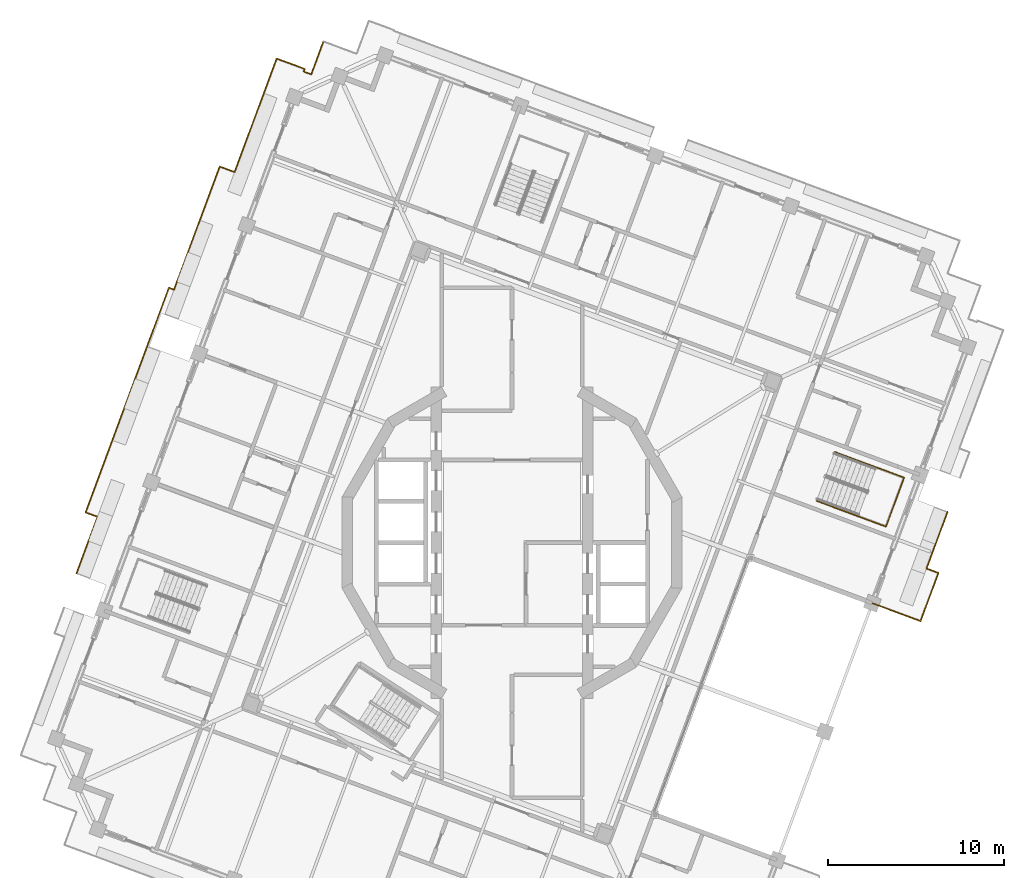
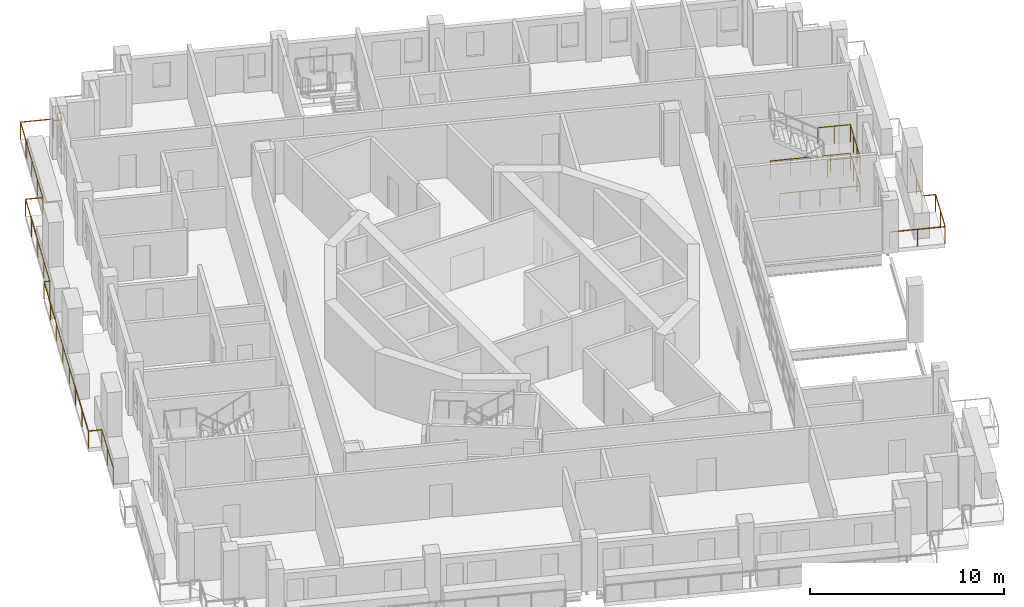
# One storey, part 16 of 19: 5 railings.
"""IFC4 building model written with IfcOpenShell, lengths in metres."""

from ifc_helpers import new_model, si_unit, direction, frame, origin, origin_2d, place, context, subcontext, project, spatial, circle, extrude, material, type_object, element, save


model = new_model("IFC4")

# Units and contexts
model_context = context("Model", 3, precision=1e-05, world=origin(), true_north=direction((0.0, 1.0)))
body_context = subcontext(model_context, "Body", "Model", "MODEL_VIEW")
ifc_project = project(units=[si_unit("LENGTHUNIT", "METRE"), si_unit("AREAUNIT", "SQUARE_METRE"), si_unit("VOLUMEUNIT", "CUBIC_METRE"), si_unit("PLANEANGLEUNIT", "RADIAN"), si_unit("MASSUNIT", "GRAM", prefix="KILO")], contexts=[model_context])

# Site, building, storey
site_placement = place(None, origin())
site = spatial("IfcSite", under=ifc_project, at=site_placement, CompositionType="ELEMENT")
building_placement = place(site_placement, origin())
building = spatial("IfcBuilding", under=site, at=building_placement, Name="Cantera Rosa Tower", CompositionType="ELEMENT")
storey_placement = place(building_placement, frame((0.0, 0.0, 331.300048828125)))
storey = spatial("IfcBuildingStorey", under=building, at=storey_placement, Name="L74", CompositionType="ELEMENT", Elevation=331.300048828125)

# Railings
ifc_material_1 = material(Name="Stainless steel and laminated glass", Category="steel")
railing_type_1 = type_object("IfcRailingType", Name="GUARD 1100", PredefinedType="BALUSTRADE", material=ifc_material_1)
railing_1_placement = place(storey_placement, frame((-24.750244140625, -1.748779296875, 0.0)))
element("IfcRailing", 1, at=railing_1_placement, inside=storey, type_object=railing_type_1, Name="GUARD L74-6", PredefinedType="BALUSTRADE", context=body_context, shape_type="SweptSolid", body=[
    extrude(circle(Radius=0.030029296875, at=origin_2d()), frame((0.0, 0.0, 1.070068359375), z_axis=(0.347455720104, 0.937696391465, 0.0), x_axis=(-0.937696391465, 0.347455720104, 0.0)), (0.0, 0.0, 1.0), 3.43115234375),
    extrude(circle(Radius=0.030029296875, at=origin_2d()), frame((1.192138671875, 3.21728515625, 1.070068359375), z_axis=(-0.937662671744, 0.347546707679, 0.0), x_axis=(-0.347546707679, -0.937662671744, 0.0)), (0.0, 0.0, 1.0), 0.718505859375),
    extrude(circle(Radius=0.030029296875, at=origin_2d()), frame((0.518310546875, 3.467041015625, 1.070068359375), z_axis=(0.347474337492, 0.937689492734, 0.0), x_axis=(-0.937689492734, 0.347474337492, 0.0)), (0.0, 0.0, 1.0), 13.6181640625),
    extrude(circle(Radius=0.030029296875, at=origin_2d()), frame((5.250244140625, 16.236572265625, 1.070068359375), z_axis=(0.937570310623, -0.347795791576, 0.0), x_axis=(0.347795791576, 0.937570310623, 0.0)), (0.0, 0.0, 1.0), 0.313720703125),
    extrude(circle(Radius=0.030029296875, at=origin_2d()), frame((5.54443359375, 16.12744140625, 1.070068359375), z_axis=(0.347483678672, 0.937686031173, 0.0), x_axis=(-0.937686031173, 0.347483678672, 0.0)), (0.0, 0.0, 1.0), 7.466552734375),
    extrude(circle(Radius=0.030029296875, at=origin_2d()), frame((8.138916015625, 23.128662109375, 1.070068359375), z_axis=(0.937641368545, -0.34760417718, 0.0), x_axis=(0.34760417718, 0.937641368545, 0.0)), (0.0, 0.0, 1.0), 0.9052734375),
    extrude(circle(Radius=0.030029296875, at=origin_2d()), frame((8.98779296875, 22.81396484375, 1.070068359375), z_axis=(0.347493627455, 0.937682344335, 0.0), x_axis=(-0.937682344335, 0.347493627455, 0.0)), (0.0, 0.0, 1.0), 6.874755859375),
    extrude(circle(Radius=0.030029296875, at=origin_2d()), frame((11.376708984375, 29.26025390625, 1.070068359375), z_axis=(0.93766211216, -0.347548217403, 0.0), x_axis=(0.347548217403, 0.93766211216, 0.0)), (0.0, 0.0, 1.0), 1.699951171875),
    extrude(circle(Radius=0.030029296875, at=origin_2d()), frame((12.970703125, 28.66943359375, 1.070068359375), z_axis=(-0.348345544994, -0.937366193802, 0.0), x_axis=(0.937366193802, -0.348345544994, 0.0)), (0.0, 0.0, 1.0), 0.154296875),
    extrude(circle(Radius=0.030029296875, at=origin_2d()), frame((12.9169921875, 28.52490234375, 1.070068359375), z_axis=(0.937800612421, -0.34717432414, 0.0), x_axis=(0.34717432414, 0.937800612421, 0.0)), (0.0, 0.0, 1.0), 0.454345703125),
    extrude(circle(Radius=0.030029296875, at=origin_2d()), frame((13.343017578125, 28.3671875, 1.070068359375), z_axis=(0.347349380186, 0.937735787994, 0.0), x_axis=(-0.937735787994, 0.347349380186, 0.0)), (0.0, 0.0, 1.0), 0.4541015625),
    extrude(circle(Radius=0.030029296875, at=origin_2d()), frame((13.500732421875, 28.79296875, 1.070068359375), z_axis=(0.347468671564, 0.937691592306, 0.0), x_axis=(-0.937691592306, 0.347468671564, 0.0)), (0.0, 0.0, 1.0), 1.5458984375),
    extrude(circle(Radius=0.02490234375, at=origin_2d()), origin(), (0.0, 0.0, 1.0), 1.0400390625),
    extrude(circle(Radius=0.02490234375, at=origin_2d()), frame((0.59619140625, 1.608642578125, 0.0)), (0.0, 0.0, 1.0), 1.0400390625),
    extrude(circle(Radius=0.02490234375, at=origin_2d()), frame((1.192138671875, 3.21728515625, 0.0)), (0.0, 0.0, 1.0), 1.0400390625),
    extrude(circle(Radius=0.02490234375, at=origin_2d()), frame((0.518310546875, 3.467041015625, 0.0)), (0.0, 0.0, 1.0), 1.0400390625),
    extrude(circle(Radius=0.02490234375, at=origin_2d()), frame((1.1943359375, 5.291259765625, 0.0)), (0.0, 0.0, 1.0), 1.0400390625),
    extrude(circle(Radius=0.02490234375, at=origin_2d()), frame((1.870361328125, 7.115478515625, 0.0)), (0.0, 0.0, 1.0), 1.0400390625),
    extrude(circle(Radius=0.02490234375, at=origin_2d()), frame((2.54638671875, 8.939697265625, 0.0)), (0.0, 0.0, 1.0), 1.0400390625),
    extrude(circle(Radius=0.02490234375, at=origin_2d()), frame((3.22216796875, 10.763916015625, 0.0)), (0.0, 0.0, 1.0), 1.0400390625),
    extrude(circle(Radius=0.02490234375, at=origin_2d()), frame((3.898193359375, 12.588134765625, 0.0)), (0.0, 0.0, 1.0), 1.0400390625),
    extrude(circle(Radius=0.02490234375, at=origin_2d()), frame((4.57421875, 14.412353515625, 0.0)), (0.0, 0.0, 1.0), 1.0400390625),
    extrude(circle(Radius=0.02490234375, at=origin_2d()), frame((5.250244140625, 16.236572265625, 0.0)), (0.0, 0.0, 1.0), 1.0400390625),
    extrude(circle(Radius=0.02490234375, at=origin_2d()), frame((5.54443359375, 16.12744140625, 0.0)), (0.0, 0.0, 1.0), 1.0400390625),
    extrude(circle(Radius=0.02490234375, at=origin_2d()), frame((6.193115234375, 17.877685546875, 0.0)), (0.0, 0.0, 1.0), 1.0400390625),
    extrude(circle(Radius=0.02490234375, at=origin_2d()), frame((6.841796875, 19.6279296875, 0.0)), (0.0, 0.0, 1.0), 1.0400390625),
    extrude(circle(Radius=0.02490234375, at=origin_2d()), frame((7.490234375, 21.37841796875, 0.0)), (0.0, 0.0, 1.0), 1.0400390625),
    extrude(circle(Radius=0.02490234375, at=origin_2d()), frame((8.138916015625, 23.128662109375, 0.0)), (0.0, 0.0, 1.0), 1.0400390625),
    extrude(circle(Radius=0.02490234375, at=origin_2d()), frame((8.98779296875, 22.81396484375, 0.0)), (0.0, 0.0, 1.0), 1.0400390625),
    extrude(circle(Radius=0.02490234375, at=origin_2d()), frame((9.5849609375, 24.425537109375, 0.0)), (0.0, 0.0, 1.0), 1.0400390625),
    extrude(circle(Radius=0.02490234375, at=origin_2d()), frame((10.18212890625, 26.037109375, 0.0)), (0.0, 0.0, 1.0), 1.0400390625),
    extrude(circle(Radius=0.02490234375, at=origin_2d()), frame((10.779541015625, 27.648681640625, 0.0)), (0.0, 0.0, 1.0), 1.0400390625),
    extrude(circle(Radius=0.02490234375, at=origin_2d()), frame((11.376708984375, 29.26025390625, 0.0)), (0.0, 0.0, 1.0), 1.0400390625),
    extrude(circle(Radius=0.02490234375, at=origin_2d()), frame((12.970703125, 28.66943359375, 0.0)), (0.0, 0.0, 1.0), 1.0400390625),
    extrude(circle(Radius=0.02490234375, at=origin_2d()), frame((12.9169921875, 28.52490234375, 0.0)), (0.0, 0.0, 1.0), 1.0400390625),
    extrude(circle(Radius=0.02490234375, at=origin_2d()), frame((13.343017578125, 28.3671875, 0.0)), (0.0, 0.0, 1.0), 1.0400390625),
    extrude(circle(Radius=0.02490234375, at=origin_2d()), frame((13.500732421875, 28.79296875, 0.0)), (0.0, 0.0, 1.0), 1.0400390625),
    extrude(circle(Radius=0.02490234375, at=origin_2d()), frame((14.037841796875, 30.242431640625, 0.0)), (0.0, 0.0, 1.0), 1.0400390625),
])
railing_2_placement = place(storey_placement, frame((24.23193359375, -1.71826171875, 0.0)))
element("IfcRailing", 2, at=railing_2_placement, inside=storey, type_object=railing_type_1, Name="GUARD L74-7", PredefinedType="BALUSTRADE", context=body_context, shape_type="SweptSolid", body=[
    extrude(circle(Radius=0.030029296875, at=origin_2d()), frame((0.0, 0.0, 1.070068359375), z_axis=(-0.347445111024, -0.937700322505, 0.0), x_axis=(0.937700322505, -0.347445111024, 0.0)), (0.0, 0.0, 1.0), 2.9189453125),
    extrude(circle(Radius=0.030029296875, at=origin_2d()), frame((-1.01416015625, -2.737060546875, 1.070068359375), z_axis=(-0.937695927175, 0.347456973105, 0.0), x_axis=(-0.347456973105, -0.937695927175, 0.0)), (0.0, 0.0, 1.0), 2.899169921875),
    extrude(circle(Radius=0.02490234375, at=origin_2d()), origin(), (0.0, 0.0, 1.0), 1.0400390625),
    extrude(circle(Radius=0.02490234375, at=origin_2d()), frame((-0.507080078125, -1.36865234375, 0.0)), (0.0, 0.0, 1.0), 1.0400390625),
    extrude(circle(Radius=0.02490234375, at=origin_2d()), frame((-1.01416015625, -2.737060546875, 0.0)), (0.0, 0.0, 1.0), 1.0400390625),
    extrude(circle(Radius=0.02490234375, at=origin_2d()), frame((-2.37353515625, -2.2333984375, 0.0)), (0.0, 0.0, 1.0), 1.0400390625),
    extrude(circle(Radius=0.02490234375, at=origin_2d()), frame((-3.732666015625, -1.729736328125, 0.0)), (0.0, 0.0, 1.0), 1.0400390625),
])
railing_3_placement = place(storey_placement, frame((24.750244140625, 1.748779296875, 0.0)))
element("IfcRailing", 3, at=railing_3_placement, inside=storey, type_object=railing_type_1, Name="GUARD L74-8", PredefinedType="BALUSTRADE", context=body_context, shape_type="SweptSolid", body=[
    extrude(circle(Radius=0.030029296875, at=origin_2d()), frame((0.0, 0.0, 1.070068359375), z_axis=(-0.347455720104, -0.937696391465, 0.0), x_axis=(0.937696391465, -0.347455720104, 0.0)), (0.0, 0.0, 1.0), 3.43115234375),
    extrude(circle(Radius=0.030029296875, at=origin_2d()), frame((-1.192138671875, -3.21728515625, 1.070068359375), z_axis=(0.937662671744, -0.347546707679, 0.0), x_axis=(0.347546707679, 0.937662671744, 0.0)), (0.0, 0.0, 1.0), 0.718505859375),
    extrude(circle(Radius=0.02490234375, at=origin_2d()), origin(), (0.0, 0.0, 1.0), 1.0400390625),
    extrude(circle(Radius=0.02490234375, at=origin_2d()), frame((-0.59619140625, -1.608642578125, 0.0)), (0.0, 0.0, 1.0), 1.0400390625),
    extrude(circle(Radius=0.02490234375, at=origin_2d()), frame((-1.192138671875, -3.21728515625, 0.0)), (0.0, 0.0, 1.0), 1.0400390625),
    extrude(circle(Radius=0.02490234375, at=origin_2d()), frame((-0.518310546875, -3.467041015625, 0.0)), (0.0, 0.0, 1.0), 1.0400390625),
])
ifc_material_2 = material(Name="Steel S355J2 (EN 10025-2)", Category="steel")
railing_type_2 = type_object("IfcRailingType", Name="STAIR GUARD 1100", PredefinedType="GUARDRAIL", material=ifc_material_2)
railing_4_placement = place(storey_placement, frame((17.31494140625, 2.37109375, 0.0)))
element("IfcRailing", 4, at=railing_4_placement, inside=storey, type_object=railing_type_2, Name="L74 ST-61 stair guard 4", PredefinedType="GUARDRAIL", context=body_context, shape_type="SweptSolid", body=[
    extrude(circle(Radius=0.02392578125, at=origin_2d()), frame((0.0, 0.0, 1.076171875), z_axis=(0.937682096729, -0.3474942956, 0.0), x_axis=(0.3474942956, 0.937682096729, 0.0)), (0.0, 0.0, 1.0), 4.197998046875),
    extrude(circle(Radius=0.02392578125, at=origin_2d()), frame((3.936279296875, -1.458740234375, 1.076171875), z_axis=(0.347472311651, 0.937690243436, 0.0), x_axis=(-0.937690243436, 0.347472311651, 0.0)), (0.0, 0.0, 1.0), 2.969970703125),
    extrude(circle(Radius=0.02392578125, at=origin_2d()), frame((4.96826171875, 1.326171875, 1.076171875), z_axis=(-0.937682096729, 0.3474942956, 0.0), x_axis=(-0.3474942956, -0.937682096729, 0.0)), (0.0, 0.0, 1.0), 4.197998046875),
    extrude(circle(Radius=0.02099609375, at=origin_2d()), origin(), (0.0, 0.0, 1.0), 1.052001953125),
    extrude(circle(Radius=0.02099609375, at=origin_2d()), frame((0.984130859375, -0.36474609375, 0.0)), (0.0, 0.0, 1.0), 1.052001953125),
    extrude(circle(Radius=0.02099609375, at=origin_2d()), frame((1.96826171875, -0.7294921875, 0.0)), (0.0, 0.0, 1.0), 1.052001953125),
    extrude(circle(Radius=0.02099609375, at=origin_2d()), frame((2.9521484375, -1.093994140625, 0.0)), (0.0, 0.0, 1.0), 1.052001953125),
    extrude(circle(Radius=0.02099609375, at=origin_2d()), frame((3.936279296875, -1.458740234375, 0.0)), (0.0, 0.0, 1.0), 1.052001953125),
    extrude(circle(Radius=0.02099609375, at=origin_2d()), frame((4.2802734375, -0.530517578125, 0.0)), (0.0, 0.0, 1.0), 1.052001953125),
    extrude(circle(Radius=0.02099609375, at=origin_2d()), frame((4.624267578125, 0.39794921875, 0.0)), (0.0, 0.0, 1.0), 1.052001953125),
    extrude(circle(Radius=0.02099609375, at=origin_2d()), frame((4.96826171875, 1.326171875, 0.0)), (0.0, 0.0, 1.0), 1.052001953125),
    extrude(circle(Radius=0.02099609375, at=origin_2d()), frame((3.984130859375, 1.69091796875, 0.0)), (0.0, 0.0, 1.0), 1.052001953125),
    extrude(circle(Radius=0.02099609375, at=origin_2d()), frame((3.0, 2.0556640625, 0.0)), (0.0, 0.0, 1.0), 1.052001953125),
    extrude(circle(Radius=0.02099609375, at=origin_2d()), frame((2.01611328125, 2.420166015625, 0.0)), (0.0, 0.0, 1.0), 1.052001953125),
    extrude(circle(Radius=0.02099609375, at=origin_2d()), frame((1.031982421875, 2.784912109375, 0.0)), (0.0, 0.0, 1.0), 1.052001953125),
])
railing_5_placement = place(storey_placement, frame((19.6552734375, 1.50390625, 1.800048828125)))
element("IfcRailing", 5, at=railing_5_placement, inside=storey, type_object=railing_type_2, Name="L74 ST-61 stair guard 5", PredefinedType="GUARDRAIL", context=body_context, shape_type="SweptSolid", body=[
    extrude(circle(Radius=0.02392578125, at=origin_2d()), frame((0.0, 0.0, 1.076171875), z_axis=(0.937660486946, -0.347552602091, 0.0), x_axis=(0.347552602091, 0.937660486946, 0.0)), (0.0, 0.0, 1.0), 1.7021484375),
    extrude(circle(Radius=0.02392578125, at=origin_2d()), frame((1.595947265625, -0.591552734375, 1.076171875), z_axis=(0.347472311651, 0.937690243436, 0.0), x_axis=(-0.937690243436, 0.347472311651, 0.0)), (0.0, 0.0, 1.0), 2.969970703125),
    extrude(circle(Radius=0.02392578125, at=origin_2d()), frame((2.6279296875, 2.193359375, 1.076171875), z_axis=(-0.937660486946, 0.347552602091, 0.0), x_axis=(-0.347552602091, -0.937660486946, 0.0)), (0.0, 0.0, 1.0), 1.7021484375),
    extrude(circle(Radius=0.02099609375, at=origin_2d()), origin(), (0.0, 0.0, 1.0), 1.052001953125),
    extrude(circle(Radius=0.02099609375, at=origin_2d()), frame((0.7978515625, -0.2958984375, 0.0)), (0.0, 0.0, 1.0), 1.052001953125),
    extrude(circle(Radius=0.02099609375, at=origin_2d()), frame((1.595947265625, -0.591552734375, 0.0)), (0.0, 0.0, 1.0), 1.052001953125),
    extrude(circle(Radius=0.02099609375, at=origin_2d()), frame((1.93994140625, 0.336669921875, 0.0)), (0.0, 0.0, 1.0), 1.052001953125),
    extrude(circle(Radius=0.02099609375, at=origin_2d()), frame((2.283935546875, 1.26513671875, 0.0)), (0.0, 0.0, 1.0), 1.052001953125),
    extrude(circle(Radius=0.02099609375, at=origin_2d()), frame((2.6279296875, 2.193359375, 0.0)), (0.0, 0.0, 1.0), 1.052001953125),
    extrude(circle(Radius=0.02099609375, at=origin_2d()), frame((1.830078125, 2.4892578125, 0.0)), (0.0, 0.0, 1.0), 1.052001953125),
    extrude(circle(Radius=0.02099609375, at=origin_2d()), frame((1.031982421875, 2.784912109375, 0.0)), (0.0, 0.0, 1.0), 1.052001953125),
])

save(model, "model.ifc")
